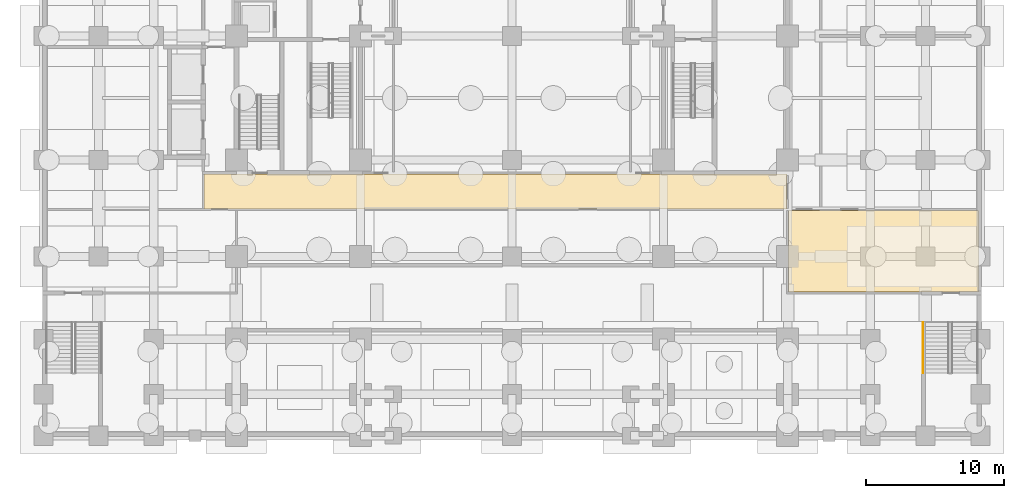
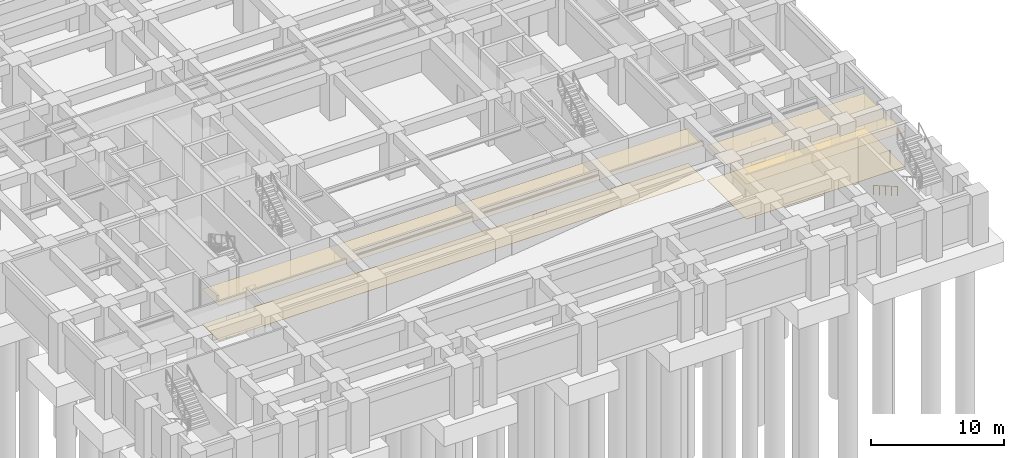
# One storey, part 11 of 16: 4 coverings, 1 railing.
"""IFC4 building model written with IfcOpenShell, lengths in metres."""

from ifc_helpers import new_model, si_unit, direction, frame, origin, origin_2d, place, context, subcontext, project, spatial, polyline, rectangle, outline, extrude, material, layer, layer_set, type_object, element, save


model = new_model("IFC4")

# Units and contexts
model_context = context("Model", 3, precision=1e-05, world=origin(), true_north=direction((0.0, 1.0)))
body_context = subcontext(model_context, "Body", "Model", "MODEL_VIEW")
ifc_project = project(units=[si_unit("LENGTHUNIT", "METRE"), si_unit("AREAUNIT", "SQUARE_METRE"), si_unit("VOLUMEUNIT", "CUBIC_METRE"), si_unit("PLANEANGLEUNIT", "RADIAN"), si_unit("MASSUNIT", "GRAM", prefix="KILO")], contexts=[model_context])

# Site, building, storey
site_placement = place(None, origin())
site = spatial("IfcSite", under=ifc_project, at=site_placement, CompositionType="ELEMENT")
building_placement = place(site_placement, origin())
building = spatial("IfcBuilding", under=site, at=building_placement, Name="Zulmaris Gate Convention Tower", CompositionType="ELEMENT")
storey_placement = place(building_placement, frame((0.0, 0.0, -9.10009765625)))
storey = spatial("IfcBuildingStorey", under=building, at=storey_placement, Name="B2", CompositionType="ELEMENT", Elevation=-9.10009765625)

# Coverings
ifc_material_1 = material(Name="Mineral Fibre Acoustic Ceiling Tile")
ifc_layer_1 = layer(ifc_material_1, 0.02001953125, Name="Mineral Fibre Acoustic Ceiling Tile")
ifc_layer_set_1 = layer_set([ifc_layer_1], Name="Mineral Fibre Acoustic Ceiling Tile")
covering_type_1 = type_object("IfcCoveringType", Name="CLG-ACOUSTIC-600", PredefinedType="CEILING", material=ifc_layer_set_1)
covering_1_placement = place(storey_placement, frame((0.0, 0.0, 3.210205078125)))
element("IfcCovering", 1, at=covering_1_placement, inside=storey, type_object=covering_type_1, Name="CLG-B2-R29", PredefinedType="CEILING", context=body_context, shape_type="SweptSolid", body=[
    extrude(outline(polyline([(-22.340087890625, -12.5400390625), (19.93994140625, -12.5400390625), (19.93994140625, -10.010009765625), (-22.340087890625, -10.010009765625), (-22.340087890625, -12.5400390625)])), origin(), (0.0, 0.0, 1.0), 0.019775390625),
])
covering_2_placement = place(storey_placement, frame((0.0, 0.0, 3.210205078125)))
element("IfcCovering", 2, at=covering_2_placement, inside=storey, type_object=covering_type_1, Name="CLG-B2-R38", PredefinedType="CEILING", context=body_context, shape_type="SweptSolid", body=[
    extrude(outline(polyline([(20.06005859375, -18.590087890625), (33.840087890625, -18.590087890625), (33.840087890625, -12.659912109375), (20.06005859375, -12.659912109375), (20.06005859375, -18.590087890625)])), origin(), (0.0, 0.0, 1.0), 0.019775390625),
])
ifc_material_2 = material(Name="Woven Acoustic Wool Carpet Tile")
ifc_layer_2 = layer(ifc_material_2, 0.02001953125, Name="Woven Acoustic Wool Carpet Tile")
ifc_layer_set_2 = layer_set([ifc_layer_2], Name="Woven Acoustic Wool Carpet Tile")
covering_type_2 = type_object("IfcCoveringType", Name="FLR-CARPET-12", PredefinedType="FLOORING", material=ifc_layer_set_2)
covering_3_placement = place(storey_placement, origin())
element("IfcCovering", 3, at=covering_3_placement, inside=storey, type_object=covering_type_2, Name="FLR-B2-R29", PredefinedType="FLOORING", context=body_context, shape_type="SweptSolid", body=[
    extrude(outline(polyline([(-22.340087890625, -12.5400390625), (19.93994140625, -12.5400390625), (19.93994140625, -10.010009765625), (-22.340087890625, -10.010009765625), (-22.340087890625, -12.5400390625)])), origin(), (0.0, 0.0, 1.0), 0.02001953125),
])
covering_4_placement = place(storey_placement, origin())
element("IfcCovering", 4, at=covering_4_placement, inside=storey, type_object=covering_type_2, Name="FLR-B2-R38", PredefinedType="FLOORING", context=body_context, shape_type="SweptSolid", body=[
    extrude(outline(polyline([(20.06005859375, -18.590087890625), (33.840087890625, -18.590087890625), (33.840087890625, -12.659912109375), (20.06005859375, -12.659912109375), (20.06005859375, -18.590087890625)])), origin(), (0.0, 0.0, 1.0), 0.02001953125),
])

# Railing
ifc_material_3 = material(Name="Brushed Stainless Steel", Category="steel")
railing_type = type_object("IfcRailingType", Name="RL-STH-900", PredefinedType="HANDRAIL", material=ifc_material_3)
railing_placement = place(storey_placement, frame((29.830078125, -20.800048828125, 0.16259765625)))
element("IfcRailing", 5, at=railing_placement, inside=storey, type_object=railing_type, Name="B2 ST-6 stair handrail 1", PredefinedType="HANDRAIL", context=body_context, shape_type="SweptSolid", body=[
    extrude(rectangle(XDim=0.048095703125, YDim=0.048095703125, at=origin_2d()), frame((0.0, 0.0, 0.8759765625), z_axis=(0.0, -0.864885630581, 0.501968969174), x_axis=(1.0, 0.0, 0.0)), (0.0, 0.0, 1.0), 4.20849609375),
    extrude(rectangle(XDim=0.0419921875, YDim=0.0419921875, at=origin_2d()), origin(), (0.0, 0.0, 1.0), 0.851806640625),
    extrude(rectangle(XDim=0.0419921875, YDim=0.0419921875, at=origin_2d()), frame((0.0, -0.909912109375, 0.528076171875)), (0.0, 0.0, 1.0), 0.851806640625),
    extrude(rectangle(XDim=0.0419921875, YDim=0.0419921875, at=origin_2d()), frame((0.0, -1.81982421875, 1.05615234375)), (0.0, 0.0, 1.0), 0.851806640625),
    extrude(rectangle(XDim=0.0419921875, YDim=0.0419921875, at=origin_2d()), frame((0.0, -2.72998046875, 1.58447265625)), (0.0, 0.0, 1.0), 0.851806640625),
    extrude(rectangle(XDim=0.0419921875, YDim=0.0419921875, at=origin_2d()), frame((0.0, -3.639892578125, 2.112548828125)), (0.0, 0.0, 1.0), 0.851806640625),
])

save(model, "model.ifc")
